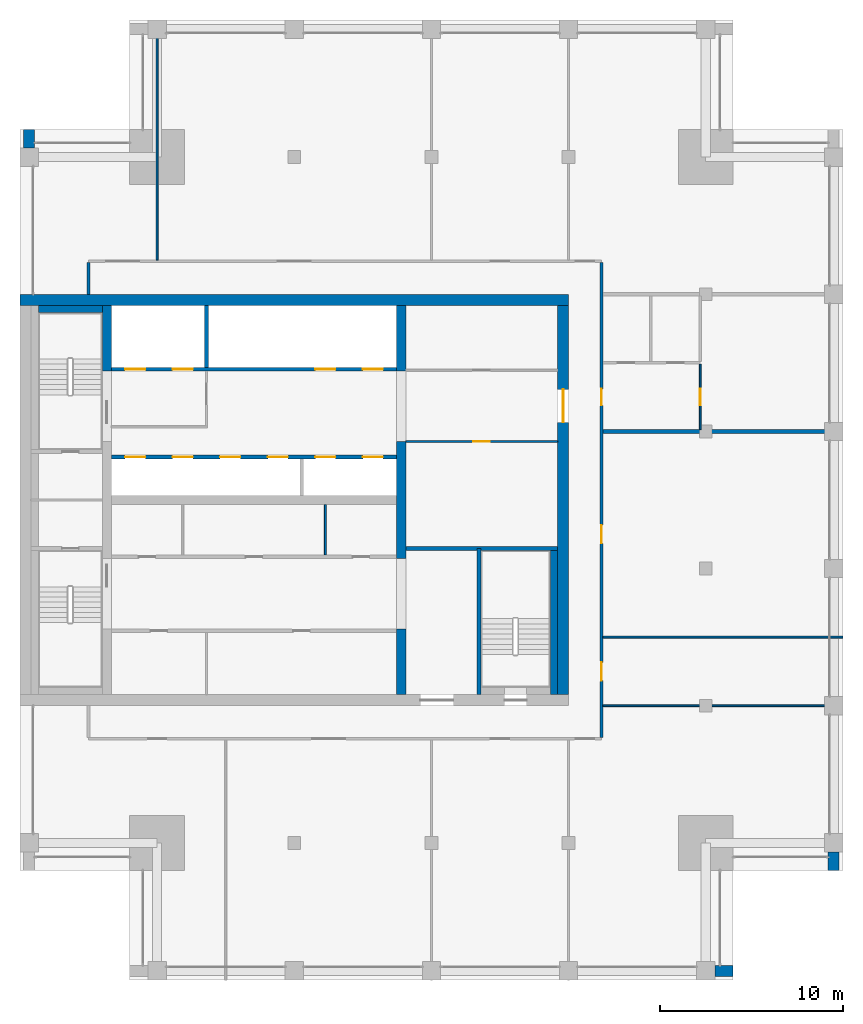
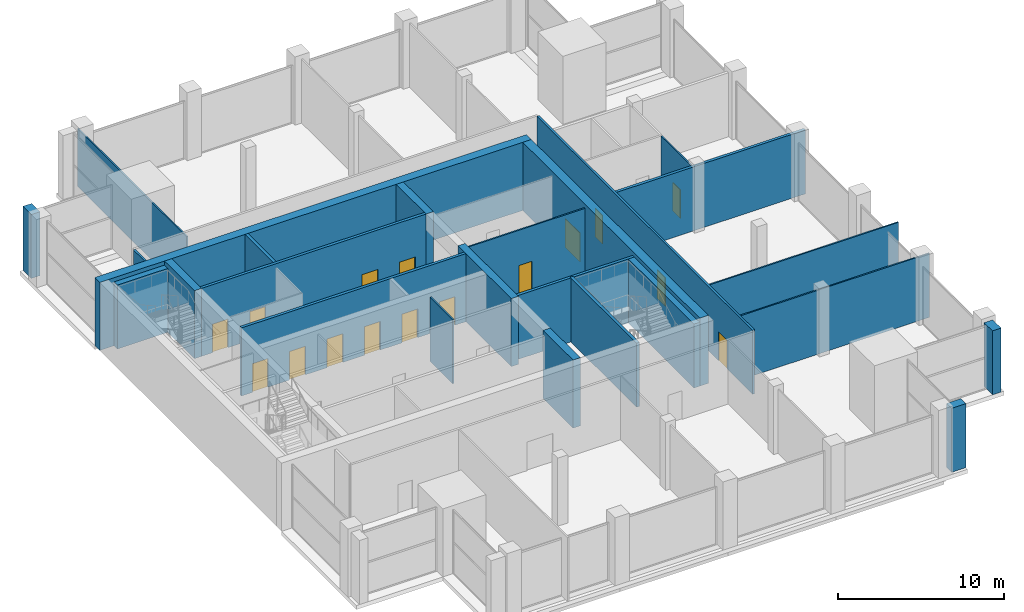
# One storey, part 9 of 15: 25 walls, 16 doors, 16 openings.
"""IFC4 building model written with IfcOpenShell, lengths in metres."""

from ifc_helpers import new_model, si_unit, direction, frame, frame_2d, origin, place, context, subcontext, project, spatial, rectangle, extrude, material, layer, layer_set, type_object, element, fill, save


model = new_model("IFC4")

# Units and contexts
model_context = context("Model", 3, precision=1e-05, world=origin(), true_north=direction((0.0, 1.0)))
body_context = subcontext(model_context, "Body", "Model", "MODEL_VIEW")
ifc_project = project(units=[si_unit("LENGTHUNIT", "METRE"), si_unit("AREAUNIT", "SQUARE_METRE"), si_unit("VOLUMEUNIT", "CUBIC_METRE"), si_unit("PLANEANGLEUNIT", "RADIAN"), si_unit("MASSUNIT", "GRAM", prefix="KILO")], contexts=[model_context])

# Site, building, storey
site_placement = place(None, origin())
site = spatial("IfcSite", under=ifc_project, at=site_placement, CompositionType="ELEMENT")
building_placement = place(site_placement, origin())
building = spatial("IfcBuilding", under=site, at=building_placement, Name="Tamorin Gate", CompositionType="ELEMENT")
storey_placement = place(building_placement, frame((0.0, 0.0, 297.699951171875)))
storey = spatial("IfcBuildingStorey", under=building, at=storey_placement, Name="L74", CompositionType="ELEMENT", Elevation=297.699951171875)

# Walls
ifc_material_1 = material(Name="Precast concrete C40/50", Category="concrete")
ifc_layer_1 = layer(ifc_material_1, 0.60009765625)
ifc_layer_set_1 = layer_set([ifc_layer_1], Name="Precast concrete C40/50")
wall_type_1 = type_object("IfcWallType", Name="Board-marked concrete facade panel 600", PredefinedType="SOLIDWALL", material=ifc_layer_set_1)
for number, where, z_axis, x_axis, name in (
    (1, (68.0, 45.5, 0.0), (0.0, 0.0, 1.0), (1.0, 0.0, 0.0), "Facade panel"),
    (2, (74.5, 51.0, 0.0), (0.0, 0.0, 1.0), (0.0, 1.0, 0.0), "Facade panel"),
    (3, (30.5, 91.5, 0.0), (0.0, 0.0, 1.0), (0.0, -1.0, 0.0), "Facade panel"),
):
    element("IfcWall", number, at=place(storey_placement, frame(where, z_axis=z_axis, x_axis=x_axis)), inside=storey, type_object=wall_type_1, Name=name, PredefinedType="SOLIDWALL", context=body_context, shape_type="SweptSolid", body=[
        extrude(rectangle(XDim=1.0, YDim=0.60009765625, at=frame_2d((0.5, 0.0))), origin(), (0.0, 0.0, 1.0), 4.699951171875),
    ])
ifc_material_2 = material(Name="Gypsum board partition")
ifc_layer_2 = layer(ifc_material_2, 0.14990234375)
ifc_layer_set_2 = layer_set([ifc_layer_2], Name="Corridor wall 150")
wall_type_2 = type_object("IfcWallType", Name="Corridor wall 150", PredefinedType="PARTITIONING", material=ifc_layer_set_2)
wall_1_placement = place(storey_placement, frame((33.75, 82.5, 0.0), z_axis=(0.0, 0.0, 1.0), x_axis=(0.0, 1.0, 0.0)))
element("IfcWall", 4, at=wall_1_placement, inside=storey, type_object=wall_type_2, Name="Corridor wall 150", PredefinedType="PARTITIONING", context=body_context, shape_type="SweptSolid", body=[
    extrude(rectangle(XDim=1.72509765625, YDim=0.14990234375, at=frame_2d((0.862548828125, 0.0))), origin(), (0.0, 0.0, 1.0), 4.699951171875),
])

# Wall, openings, doors
wall_2_placement = place(storey_placement, frame((61.800048828125, 58.27490234375, 0.0), z_axis=(0.0, 0.0, 1.0), x_axis=(0.0, 1.0, 0.0)))
wall_2 = element("IfcWall", 5, at=wall_2_placement, inside=storey, type_object=wall_type_2, Name="Corridor wall 150", PredefinedType="PARTITIONING", context=body_context, shape_type="SweptSolid", body=[
    extrude(rectangle(XDim=25.9501953125, YDim=0.14990234375, at=frame_2d((12.97509765625, 0.0))), origin(), (0.0, 0.0, 1.0), 4.699951171875),
])
opening_1_placement = place(wall_2_placement, frame((3.10009765625, 0.0, 0.0)))
opening_1 = element("IfcOpeningElement", 6, at=opening_1_placement, cuts=wall_2, Name="Opening DSK1009", PredefinedType="OPENING", context=body_context, shape_type="SweptSolid", body=[
    extrude(rectangle(XDim=1.0, YDim=2.10009765625, at=frame_2d((0.5, 1.050048828125))), frame((0.0, 0.0849609375, 0.0), z_axis=(0.0, -1.0, 0.0), x_axis=(1.0, 0.0, 0.0)), (0.0, 0.0, 1.0), 0.169921875),
])
opening_2_placement = place(wall_2_placement, frame((10.60009765625, 0.0, 0.0)))
opening_2 = element("IfcOpeningElement", 7, at=opening_2_placement, cuts=wall_2, Name="Opening DSK1010", PredefinedType="OPENING", context=body_context, shape_type="SweptSolid", body=[
    extrude(rectangle(XDim=1.0, YDim=2.10009765625, at=frame_2d((0.5, 1.050048828125))), frame((0.0, 0.0849609375, 0.0), z_axis=(0.0, -1.0, 0.0), x_axis=(1.0, 0.0, 0.0)), (0.0, 0.0, 1.0), 0.169921875),
])
opening_3_placement = place(wall_2_placement, frame((18.14990234375, 0.0, 0.0)))
opening_3 = element("IfcOpeningElement", 8, at=opening_3_placement, cuts=wall_2, Name="Opening DSK1011", PredefinedType="OPENING", context=body_context, shape_type="SweptSolid", body=[
    extrude(rectangle(XDim=0.89990234375, YDim=2.10009765625, at=frame_2d((0.449951171875, 1.050048828125))), frame((0.0, 0.0849609375, 0.0), z_axis=(0.0, -1.0, 0.0), x_axis=(1.0, 0.0, 0.0)), (0.0, 0.0, 1.0), 0.169921875),
])
ifc_material_3 = material(Name="Timber door leaf", Category="wood")
door_type_1 = type_object("IfcDoorType", Name="Door 1000 x 2100 FD30S", OperationType="NOTDEFINED", PredefinedType="DOOR", material=ifc_material_3)
door_1_placement = place(opening_1_placement, origin())
door_1 = element("IfcDoor", 9, at=door_1_placement, inside=storey, type_object=door_type_1, Name="Door DSK1009", OperationType="SINGLE_SWING_RIGHT", OverallHeight=2.10009765625, OverallWidth=1.0, PredefinedType="DOOR", context=body_context, shape_type="SweptSolid", body=[
    extrude(rectangle(XDim=1.0, YDim=2.10009765625, at=frame_2d((0.5, 1.050048828125))), frame((0.0, 0.02490234375, 0.0), z_axis=(0.0, -1.0, 0.0), x_axis=(1.0, 0.0, 0.0)), (0.0, 0.0, 1.0), 0.050048828125),
])
fill(opening_1, door_1)
door_2_placement = place(opening_2_placement, origin())
door_2 = element("IfcDoor", 10, at=door_2_placement, inside=storey, type_object=door_type_1, Name="Door DSK1010", OperationType="SINGLE_SWING_RIGHT", OverallHeight=2.10009765625, OverallWidth=1.0, PredefinedType="DOOR", context=body_context, shape_type="SweptSolid", body=[
    extrude(rectangle(XDim=1.0, YDim=2.10009765625, at=frame_2d((0.5, 1.050048828125))), frame((0.0, 0.02490234375, 0.0), z_axis=(0.0, -1.0, 0.0), x_axis=(1.0, 0.0, 0.0)), (0.0, 0.0, 1.0), 0.050048828125),
])
fill(opening_2, door_2)
door_type_2 = type_object("IfcDoorType", Name="Door 900 x 2100 FD30S", OperationType="NOTDEFINED", PredefinedType="DOOR", material=ifc_material_3)
door_3_placement = place(opening_3_placement, origin())
door_3 = element("IfcDoor", 11, at=door_3_placement, inside=storey, type_object=door_type_2, Name="Door DSK1011", OperationType="SINGLE_SWING_RIGHT", OverallHeight=2.10009765625, OverallWidth=0.89990234375, PredefinedType="DOOR", context=body_context, shape_type="SweptSolid", body=[
    extrude(rectangle(XDim=0.89990234375, YDim=2.10009765625, at=frame_2d((0.449951171875, 1.050048828125))), frame((0.0, 0.02490234375, 0.0), z_axis=(0.0, -1.0, 0.0), x_axis=(1.0, 0.0, 0.0)), (0.0, 0.0, 1.0), 0.050048828125),
])
fill(opening_3, door_3)

# Wall
ifc_layer_3 = layer(ifc_material_2, 0.199951171875)
ifc_layer_set_3 = layer_set([ifc_layer_3], Name="Demising wall 200")
wall_type_3 = type_object("IfcWallType", Name="Demising wall 200", PredefinedType="PARTITIONING", material=ifc_layer_set_3)
wall_3_placement = place(storey_placement, frame((61.875, 75.0, 0.0), z_axis=(0.0, 0.0, 1.0), x_axis=(1.0, 0.0, 0.0)))
element("IfcWall", 12, at=wall_3_placement, inside=storey, type_object=wall_type_3, Name="Demising wall 200", PredefinedType="PARTITIONING", context=body_context, shape_type="SweptSolid", body=[
    extrude(rectangle(XDim=13.125, YDim=0.199951171875, at=frame_2d((6.5625, 0.0))), origin(), (0.0, 0.0, 1.0), 4.699951171875),
])

# Wall, openings, doors
ifc_material_4 = material(Name="Concrete C32/40", Category="concrete")
ifc_layer_4 = layer(ifc_material_4, 0.199951171875)
ifc_layer_set_4 = layer_set([ifc_layer_4], Name="Lift lobby face wall 200 EI 120")
wall_type_4 = type_object("IfcWallType", Name="Lift lobby face wall 200 EI 120", PredefinedType="SOLIDWALL", material=ifc_layer_set_4)
wall_4_placement = place(storey_placement, frame((35.0, 73.60009765625, 0.0), z_axis=(0.0, 0.0, 1.0), x_axis=(1.0, 0.0, 0.0)))
wall_4 = element("IfcWall", 13, at=wall_4_placement, inside=storey, type_object=wall_type_4, Name="Lift lobby face wall", PredefinedType="SOLIDWALL", context=body_context, shape_type="SweptSolid", body=[
    extrude(rectangle(XDim=15.60009765625, YDim=0.199951171875, at=frame_2d((7.800048828125, 0.0))), origin(), (0.0, 0.0, 1.0), 5.0),
])
opening_4_placement = place(wall_4_placement, frame((0.75, 0.0, 0.0)))
opening_4 = element("IfcOpeningElement", 14, at=opening_4_placement, cuts=wall_4, Name="Opening LD11", PredefinedType="OPENING", context=body_context, shape_type="SweptSolid", body=[
    extrude(rectangle(XDim=1.10009765625, YDim=2.10009765625, at=frame_2d((0.550048828125, 1.050048828125))), frame((0.0, 0.10986328125, 0.0), z_axis=(0.0, -1.0, 0.0), x_axis=(1.0, 0.0, 0.0)), (0.0, 0.0, 1.0), 0.219970703125),
])
opening_5_placement = place(wall_4_placement, frame((3.35009765625, 0.0, 0.0)))
opening_5 = element("IfcOpeningElement", 15, at=opening_5_placement, cuts=wall_4, Name="Opening LD12", PredefinedType="OPENING", context=body_context, shape_type="SweptSolid", body=[
    extrude(rectangle(XDim=1.10009765625, YDim=2.10009765625, at=frame_2d((0.550048828125, 1.050048828125))), frame((0.0, 0.10986328125, 0.0), z_axis=(0.0, -1.0, 0.0), x_axis=(1.0, 0.0, 0.0)), (0.0, 0.0, 1.0), 0.219970703125),
])
opening_6_placement = place(wall_4_placement, frame((5.949951171875, 0.0, 0.0)))
opening_6 = element("IfcOpeningElement", 16, at=opening_6_placement, cuts=wall_4, Name="Opening LD13", PredefinedType="OPENING", context=body_context, shape_type="SweptSolid", body=[
    extrude(rectangle(XDim=1.10009765625, YDim=2.10009765625, at=frame_2d((0.550048828125, 1.050048828125))), frame((0.0, 0.10986328125, 0.0), z_axis=(0.0, -1.0, 0.0), x_axis=(1.0, 0.0, 0.0)), (0.0, 0.0, 1.0), 0.219970703125),
])
opening_7_placement = place(wall_4_placement, frame((8.550048828125, 0.0, 0.0)))
opening_7 = element("IfcOpeningElement", 17, at=opening_7_placement, cuts=wall_4, Name="Opening LD14", PredefinedType="OPENING", context=body_context, shape_type="SweptSolid", body=[
    extrude(rectangle(XDim=1.10009765625, YDim=2.10009765625, at=frame_2d((0.550048828125, 1.050048828125))), frame((0.0, 0.10986328125, 0.0), z_axis=(0.0, -1.0, 0.0), x_axis=(1.0, 0.0, 0.0)), (0.0, 0.0, 1.0), 0.219970703125),
])
opening_8_placement = place(wall_4_placement, frame((11.14990234375, 0.0, 0.0)))
opening_8 = element("IfcOpeningElement", 18, at=opening_8_placement, cuts=wall_4, Name="Opening LD15", PredefinedType="OPENING", context=body_context, shape_type="SweptSolid", body=[
    extrude(rectangle(XDim=1.10009765625, YDim=2.10009765625, at=frame_2d((0.550048828125, 1.050048828125))), frame((0.0, 0.10986328125, 0.0), z_axis=(0.0, -1.0, 0.0), x_axis=(1.0, 0.0, 0.0)), (0.0, 0.0, 1.0), 0.219970703125),
])
opening_9_placement = place(wall_4_placement, frame((13.75, 0.0, 0.0)))
opening_9 = element("IfcOpeningElement", 19, at=opening_9_placement, cuts=wall_4, Name="Opening LD16", PredefinedType="OPENING", context=body_context, shape_type="SweptSolid", body=[
    extrude(rectangle(XDim=1.10009765625, YDim=2.10009765625, at=frame_2d((0.550048828125, 1.050048828125))), frame((0.0, 0.10986328125, 0.0), z_axis=(0.0, -1.0, 0.0), x_axis=(1.0, 0.0, 0.0)), (0.0, 0.0, 1.0), 0.219970703125),
])
ifc_material_5 = material(Name="Stainless steel sliding door", Category="steel")
door_type_3 = type_object("IfcDoorType", Name="Lift landing door 1100 x 2100 E 90", OperationType="DOUBLE_DOOR_SLIDING", PredefinedType="DOOR", material=ifc_material_5)
door_4_placement = place(opening_4_placement, origin())
door_4 = element("IfcDoor", 20, at=door_4_placement, inside=storey, type_object=door_type_3, Name="HR1 landing door", OperationType="DOUBLE_DOOR_SLIDING", OverallHeight=2.10009765625, OverallWidth=1.10009765625, PredefinedType="DOOR", context=body_context, shape_type="SweptSolid", body=[
    extrude(rectangle(XDim=1.10009765625, YDim=2.10009765625, at=frame_2d((0.550048828125, 1.050048828125))), frame((0.0, 0.02490234375, 0.0), z_axis=(0.0, -1.0, 0.0), x_axis=(1.0, 0.0, 0.0)), (0.0, 0.0, 1.0), 0.050048828125),
])
fill(opening_4, door_4)
door_5_placement = place(opening_5_placement, origin())
door_5 = element("IfcDoor", 21, at=door_5_placement, inside=storey, type_object=door_type_3, Name="HR2 landing door", OperationType="DOUBLE_DOOR_SLIDING", OverallHeight=2.10009765625, OverallWidth=1.10009765625, PredefinedType="DOOR", context=body_context, shape_type="SweptSolid", body=[
    extrude(rectangle(XDim=1.10009765625, YDim=2.10009765625, at=frame_2d((0.550048828125, 1.050048828125))), frame((0.0, 0.02490234375, 0.0), z_axis=(0.0, -1.0, 0.0), x_axis=(1.0, 0.0, 0.0)), (0.0, 0.0, 1.0), 0.050048828125),
])
fill(opening_5, door_5)
door_6_placement = place(opening_6_placement, origin())
door_6 = element("IfcDoor", 22, at=door_6_placement, inside=storey, type_object=door_type_3, Name="HR3 landing door", OperationType="DOUBLE_DOOR_SLIDING", OverallHeight=2.10009765625, OverallWidth=1.10009765625, PredefinedType="DOOR", context=body_context, shape_type="SweptSolid", body=[
    extrude(rectangle(XDim=1.10009765625, YDim=2.10009765625, at=frame_2d((0.550048828125, 1.050048828125))), frame((0.0, 0.02490234375, 0.0), z_axis=(0.0, -1.0, 0.0), x_axis=(1.0, 0.0, 0.0)), (0.0, 0.0, 1.0), 0.050048828125),
])
fill(opening_6, door_6)
door_7_placement = place(opening_7_placement, origin())
door_7 = element("IfcDoor", 23, at=door_7_placement, inside=storey, type_object=door_type_3, Name="HR4 landing door", OperationType="DOUBLE_DOOR_SLIDING", OverallHeight=2.10009765625, OverallWidth=1.10009765625, PredefinedType="DOOR", context=body_context, shape_type="SweptSolid", body=[
    extrude(rectangle(XDim=1.10009765625, YDim=2.10009765625, at=frame_2d((0.550048828125, 1.050048828125))), frame((0.0, 0.02490234375, 0.0), z_axis=(0.0, -1.0, 0.0), x_axis=(1.0, 0.0, 0.0)), (0.0, 0.0, 1.0), 0.050048828125),
])
fill(opening_7, door_7)
door_8_placement = place(opening_8_placement, origin())
door_8 = element("IfcDoor", 24, at=door_8_placement, inside=storey, type_object=door_type_3, Name="HR5 landing door", OperationType="DOUBLE_DOOR_SLIDING", OverallHeight=2.10009765625, OverallWidth=1.10009765625, PredefinedType="DOOR", context=body_context, shape_type="SweptSolid", body=[
    extrude(rectangle(XDim=1.10009765625, YDim=2.10009765625, at=frame_2d((0.550048828125, 1.050048828125))), frame((0.0, 0.02490234375, 0.0), z_axis=(0.0, -1.0, 0.0), x_axis=(1.0, 0.0, 0.0)), (0.0, 0.0, 1.0), 0.050048828125),
])
fill(opening_8, door_8)
door_9_placement = place(opening_9_placement, origin())
door_9 = element("IfcDoor", 25, at=door_9_placement, inside=storey, type_object=door_type_3, Name="HR6 landing door", OperationType="DOUBLE_DOOR_SLIDING", OverallHeight=2.10009765625, OverallWidth=1.10009765625, PredefinedType="DOOR", context=body_context, shape_type="SweptSolid", body=[
    extrude(rectangle(XDim=1.10009765625, YDim=2.10009765625, at=frame_2d((0.550048828125, 1.050048828125))), frame((0.0, 0.02490234375, 0.0), z_axis=(0.0, -1.0, 0.0), x_axis=(1.0, 0.0, 0.0)), (0.0, 0.0, 1.0), 0.050048828125),
])
fill(opening_9, door_9)

wall_5_placement = place(storey_placement, frame((35.0, 78.39990234375, 0.0), z_axis=(0.0, 0.0, 1.0), x_axis=(1.0, 0.0, 0.0)))
wall_5 = element("IfcWall", 26, at=wall_5_placement, inside=storey, type_object=wall_type_4, Name="Lift lobby face wall", PredefinedType="SOLIDWALL", context=body_context, shape_type="SweptSolid", body=[
    extrude(rectangle(XDim=15.60009765625, YDim=0.199951171875, at=frame_2d((7.800048828125, 0.0))), origin(), (0.0, 0.0, 1.0), 5.0),
])
opening_10_placement = place(wall_5_placement, frame((0.75, 0.0, 0.0)))
opening_10 = element("IfcOpeningElement", 27, at=opening_10_placement, cuts=wall_5, Name="Opening LD17", PredefinedType="OPENING", context=body_context, shape_type="SweptSolid", body=[
    extrude(rectangle(XDim=1.10009765625, YDim=2.10009765625, at=frame_2d((0.550048828125, 1.050048828125))), frame((0.0, 0.10986328125, 0.0), z_axis=(0.0, -1.0, 0.0), x_axis=(1.0, 0.0, 0.0)), (0.0, 0.0, 1.0), 0.219970703125),
])
opening_11_placement = place(wall_5_placement, frame((3.35009765625, 0.0, 0.0)))
opening_11 = element("IfcOpeningElement", 28, at=opening_11_placement, cuts=wall_5, Name="Opening LD18", PredefinedType="OPENING", context=body_context, shape_type="SweptSolid", body=[
    extrude(rectangle(XDim=1.10009765625, YDim=2.10009765625, at=frame_2d((0.550048828125, 1.050048828125))), frame((0.0, 0.10986328125, 0.0), z_axis=(0.0, -1.0, 0.0), x_axis=(1.0, 0.0, 0.0)), (0.0, 0.0, 1.0), 0.219970703125),
])
opening_12_placement = place(wall_5_placement, frame((11.14990234375, 0.0, 0.0)))
opening_12 = element("IfcOpeningElement", 29, at=opening_12_placement, cuts=wall_5, Name="Opening LD21", PredefinedType="OPENING", context=body_context, shape_type="SweptSolid", body=[
    extrude(rectangle(XDim=1.10009765625, YDim=2.10009765625, at=frame_2d((0.550048828125, 1.050048828125))), frame((0.0, 0.10986328125, 0.0), z_axis=(0.0, -1.0, 0.0), x_axis=(1.0, 0.0, 0.0)), (0.0, 0.0, 1.0), 0.219970703125),
])
opening_13_placement = place(wall_5_placement, frame((13.75, 0.0, 0.0)))
opening_13 = element("IfcOpeningElement", 30, at=opening_13_placement, cuts=wall_5, Name="Opening LD22", PredefinedType="OPENING", context=body_context, shape_type="SweptSolid", body=[
    extrude(rectangle(XDim=1.10009765625, YDim=2.10009765625, at=frame_2d((0.550048828125, 1.050048828125))), frame((0.0, 0.10986328125, 0.0), z_axis=(0.0, -1.0, 0.0), x_axis=(1.0, 0.0, 0.0)), (0.0, 0.0, 1.0), 0.219970703125),
])
door_10_placement = place(opening_10_placement, origin())
door_10 = element("IfcDoor", 31, at=door_10_placement, inside=storey, type_object=door_type_3, Name="FF1 landing door", OperationType="DOUBLE_DOOR_SLIDING", OverallHeight=2.10009765625, OverallWidth=1.10009765625, PredefinedType="DOOR", context=body_context, shape_type="SweptSolid", body=[
    extrude(rectangle(XDim=1.10009765625, YDim=2.10009765625, at=frame_2d((0.550048828125, 1.050048828125))), frame((0.0, 0.02490234375, 0.0), z_axis=(0.0, -1.0, 0.0), x_axis=(1.0, 0.0, 0.0)), (0.0, 0.0, 1.0), 0.050048828125),
])
fill(opening_10, door_10)
door_11_placement = place(opening_11_placement, origin())
door_11 = element("IfcDoor", 32, at=door_11_placement, inside=storey, type_object=door_type_3, Name="FF2 landing door", OperationType="DOUBLE_DOOR_SLIDING", OverallHeight=2.10009765625, OverallWidth=1.10009765625, PredefinedType="DOOR", context=body_context, shape_type="SweptSolid", body=[
    extrude(rectangle(XDim=1.10009765625, YDim=2.10009765625, at=frame_2d((0.550048828125, 1.050048828125))), frame((0.0, 0.02490234375, 0.0), z_axis=(0.0, -1.0, 0.0), x_axis=(1.0, 0.0, 0.0)), (0.0, 0.0, 1.0), 0.050048828125),
])
fill(opening_11, door_11)
door_12_placement = place(opening_12_placement, origin())
door_12 = element("IfcDoor", 33, at=door_12_placement, inside=storey, type_object=door_type_3, Name="SV1 landing door", OperationType="DOUBLE_DOOR_SLIDING", OverallHeight=2.10009765625, OverallWidth=1.10009765625, PredefinedType="DOOR", context=body_context, shape_type="SweptSolid", body=[
    extrude(rectangle(XDim=1.10009765625, YDim=2.10009765625, at=frame_2d((0.550048828125, 1.050048828125))), frame((0.0, 0.02490234375, 0.0), z_axis=(0.0, -1.0, 0.0), x_axis=(1.0, 0.0, 0.0)), (0.0, 0.0, 1.0), 0.050048828125),
])
fill(opening_12, door_12)
door_13_placement = place(opening_13_placement, origin())
door_13 = element("IfcDoor", 34, at=door_13_placement, inside=storey, type_object=door_type_3, Name="SV2 landing door", OperationType="DOUBLE_DOOR_SLIDING", OverallHeight=2.10009765625, OverallWidth=1.10009765625, PredefinedType="DOOR", context=body_context, shape_type="SweptSolid", body=[
    extrude(rectangle(XDim=1.10009765625, YDim=2.10009765625, at=frame_2d((0.550048828125, 1.050048828125))), frame((0.0, 0.02490234375, 0.0), z_axis=(0.0, -1.0, 0.0), x_axis=(1.0, 0.0, 0.0)), (0.0, 0.0, 1.0), 0.050048828125),
])
fill(opening_13, door_13)

# Walls
ifc_layer_5 = layer(ifc_material_4, 0.199951171875)
ifc_layer_set_5 = layer_set([ifc_layer_5], Name="Lift shaft wall 200 EI 120")
wall_type_5 = type_object("IfcWallType", Name="Lift shaft wall 200 EI 120", PredefinedType="SOLIDWALL", material=ifc_layer_set_5)
wall_6_placement = place(storey_placement, frame((40.199951171875, 78.5, 0.0), z_axis=(0.0, 0.0, 1.0), x_axis=(0.0, 1.0, 0.0)))
element("IfcWall", 35, at=wall_6_placement, inside=storey, type_object=wall_type_5, Name="Lift shaft wall", PredefinedType="SOLIDWALL", context=body_context, shape_type="SweptSolid", body=[
    extrude(rectangle(XDim=3.39990234375, YDim=0.199951171875, at=frame_2d((1.699951171875, 0.0))), origin(), (0.0, 0.0, 1.0), 5.0),
])
ifc_material_6 = material(Name="Concrete C50/60", Category="concrete")
ifc_layer_6 = layer(ifc_material_6, 0.5)
ifc_layer_set_6 = layer_set([ifc_layer_6], Name="RC core internal wall 500 C50/60")
wall_type_6 = type_object("IfcWallType", Name="RC core internal wall 500 C50/60", PredefinedType="SHEAR", material=ifc_layer_set_6)
for number, where, z_axis, x_axis, name in (
    (36, (34.75, 78.300048828125, 0.0), (0.0, 0.0, 1.0), (0.0, 1.0, 0.0), "Core cross wall L74"),
    (37, (50.85009765625, 60.60009765625, 0.0), (0.0, 0.0, 1.0), (0.0, 1.0, 0.0), "Core cross wall L74"),
):
    element("IfcWall", number, at=place(storey_placement, frame(where, z_axis=z_axis, x_axis=x_axis)), inside=storey, type_object=wall_type_6, Name=name, PredefinedType="SHEAR", context=body_context, shape_type="SweptSolid", body=[
        extrude(rectangle(XDim=3.599853515625, YDim=0.5, at=frame_2d((1.7998046875, 0.0))), origin(), (0.0, 0.0, 1.0), 5.0),
    ])
wall_7_placement = place(storey_placement, frame((50.85009765625, 68.050048828125, 0.0), z_axis=(0.0, 0.0, 1.0), x_axis=(0.0, 1.0, 0.0)))
element("IfcWall", 38, at=wall_7_placement, inside=storey, type_object=wall_type_6, Name="Core cross wall L74", PredefinedType="SHEAR", context=body_context, shape_type="SweptSolid", body=[
    extrude(rectangle(XDim=6.39990234375, YDim=0.5, at=frame_2d((3.199951171875, 0.0))), origin(), (0.0, 0.0, 1.0), 5.0),
])
wall_8_placement = place(storey_placement, frame((50.85009765625, 78.300048828125, 0.0), z_axis=(0.0, 0.0, 1.0), x_axis=(0.0, 1.0, 0.0)))
element("IfcWall", 39, at=wall_8_placement, inside=storey, type_object=wall_type_6, Name="Core cross wall L74", PredefinedType="SHEAR", context=body_context, shape_type="SweptSolid", body=[
    extrude(rectangle(XDim=3.599853515625, YDim=0.5, at=frame_2d((1.7998046875, 0.0))), origin(), (0.0, 0.0, 1.0), 5.0),
])
ifc_layer_7 = layer(ifc_material_6, 0.60009765625)
ifc_layer_set_7 = layer_set([ifc_layer_7], Name="RC core wall 600 C50/60")
wall_type_7 = type_object("IfcWallType", Name="RC core wall 600 C50/60", PredefinedType="SHEAR", material=ifc_layer_set_7)
wall_9_placement = place(storey_placement, frame((30.0, 82.199951171875, 0.0), z_axis=(0.0, 0.0, 1.0), x_axis=(1.0, 0.0, 0.0)))
element("IfcWall", 40, at=wall_9_placement, inside=storey, type_object=wall_type_7, Name="Core wall L74", PredefinedType="SHEAR", context=body_context, shape_type="SweptSolid", body=[
    extrude(rectangle(XDim=30.0, YDim=0.60009765625, at=frame_2d((15.0, 0.0))), origin(), (0.0, 0.0, 1.0), 5.0),
])

# Wall, opening, door
wall_10_placement = place(storey_placement, frame((59.699951171875, 60.60009765625, 0.0), z_axis=(0.0, 0.0, 1.0), x_axis=(0.0, 1.0, 0.0)))
wall_10 = element("IfcWall", 41, at=wall_10_placement, inside=storey, type_object=wall_type_7, Name="Core wall L74", PredefinedType="SHEAR", context=body_context, shape_type="SweptSolid", body=[
    extrude(rectangle(XDim=21.2998046875, YDim=0.60009765625, at=frame_2d((10.64990234375, 0.0))), origin(), (0.0, 0.0, 1.0), 5.0),
])
opening_14_placement = place(wall_10_placement, frame((14.89990234375, 0.0, 0.0)))
opening_14 = element("IfcOpeningElement", 42, at=opening_14_placement, cuts=wall_10, Name="Opening DE1", PredefinedType="OPENING", context=body_context, shape_type="SweptSolid", body=[
    extrude(rectangle(XDim=1.800048828125, YDim=2.10009765625, at=frame_2d((0.89990234375, 1.050048828125))), frame((0.0, 0.31005859375, 0.0), z_axis=(0.0, -1.0, 0.0), x_axis=(1.0, 0.0, 0.0)), (0.0, 0.0, 1.0), 0.6201171875),
])
ifc_material_7 = material(Name="Steel fire door", Category="steel")
door_type_4 = type_object("IfcDoorType", Name="Lobby exit double door 1800 x 2100 EI 60", OperationType="DOUBLE_DOOR_SINGLE_SWING", PredefinedType="DOOR", material=ifc_material_7)
door_14_placement = place(opening_14_placement, origin())
door_14 = element("IfcDoor", 43, at=door_14_placement, inside=storey, type_object=door_type_4, Name="Lift lobby B exit door", OperationType="DOUBLE_DOOR_SINGLE_SWING", OverallHeight=2.10009765625, OverallWidth=1.800048828125, PredefinedType="DOOR", context=body_context, shape_type="SweptSolid", body=[
    extrude(rectangle(XDim=1.800048828125, YDim=2.10009765625, at=frame_2d((0.89990234375, 1.050048828125))), frame((0.0, 0.02490234375, 0.0), z_axis=(0.0, -1.0, 0.0), x_axis=(1.0, 0.0, 0.0)), (0.0, 0.0, 1.0), 0.050048828125),
])
fill(opening_14, door_14)

# Walls
ifc_layer_8 = layer(ifc_material_2, 0.10009765625)
ifc_layer_set_8 = layer_set([ifc_layer_8], Name="Room partition 100")
wall_type_8 = type_object("IfcWallType", Name="Room partition 100", PredefinedType="PARTITIONING", material=ifc_layer_set_8)
for number, where, z_axis, x_axis, name in (
    (44, (61.875, 60.0, 0.0), (0.0, 0.0, 1.0), (1.0, 0.0, 0.0), "Room partition 100"),
    (45, (61.875, 63.75, 0.0), (0.0, 0.0, 1.0), (1.0, 0.0, 0.0), "Room partition 100"),
):
    element("IfcWall", number, at=place(storey_placement, frame(where, z_axis=z_axis, x_axis=x_axis)), inside=storey, type_object=wall_type_8, Name=name, PredefinedType="PARTITIONING", context=body_context, shape_type="SweptSolid", body=[
        extrude(rectangle(XDim=13.125, YDim=0.10009765625, at=frame_2d((6.5625, 0.0))), origin(), (0.0, 0.0, 1.0), 4.699951171875),
    ])
wall_11_placement = place(storey_placement, frame((37.5, 84.375, 0.0), z_axis=(0.0, 0.0, 1.0), x_axis=(0.0, 1.0, 0.0)))
element("IfcWall", 46, at=wall_11_placement, inside=storey, type_object=wall_type_8, Name="Room partition 100", PredefinedType="PARTITIONING", context=body_context, shape_type="SweptSolid", body=[
    extrude(rectangle(XDim=13.125, YDim=0.10009765625, at=frame_2d((6.5625, 0.0))), origin(), (0.0, 0.0, 1.0), 4.25),
])

# Wall, opening, door
wall_12_placement = place(storey_placement, frame((67.199951171875, 75.10009765625, 0.0), z_axis=(0.0, 0.0, 1.0), x_axis=(0.0, 1.0, 0.0)))
wall_12 = element("IfcWall", 47, at=wall_12_placement, inside=storey, type_object=wall_type_8, Name="Room partition 100", PredefinedType="PARTITIONING", context=body_context, shape_type="SweptSolid", body=[
    extrude(rectangle(XDim=3.58740234375, YDim=0.10009765625, at=frame_2d((1.793701171875, 0.0))), origin(), (0.0, 0.0, 1.0), 4.699951171875),
])
opening_15_placement = place(wall_12_placement, frame((1.324951171875, 0.0, 0.0)))
opening_15 = element("IfcOpeningElement", 48, at=opening_15_placement, cuts=wall_12, Name="Opening DSK1012", PredefinedType="OPENING", context=body_context, shape_type="SweptSolid", body=[
    extrude(rectangle(XDim=0.89990234375, YDim=2.10009765625, at=frame_2d((0.449951171875, 1.050048828125))), frame((0.0, 0.06005859375, 0.0), z_axis=(0.0, -1.0, 0.0), x_axis=(1.0, 0.0, 0.0)), (0.0, 0.0, 1.0), 0.1201171875),
])
door_type_5 = type_object("IfcDoorType", Name="Door 900 x 2100", OperationType="NOTDEFINED", PredefinedType="DOOR", material=ifc_material_3)
door_15_placement = place(opening_15_placement, origin())
door_15 = element("IfcDoor", 49, at=door_15_placement, inside=storey, type_object=door_type_5, Name="Door DSK1012", OperationType="SINGLE_SWING_LEFT", OverallHeight=2.10009765625, OverallWidth=0.89990234375, PredefinedType="DOOR", context=body_context, shape_type="SweptSolid", body=[
    extrude(rectangle(XDim=0.89990234375, YDim=2.10009765625, at=frame_2d((0.449951171875, 1.050048828125))), frame((0.0, 0.02490234375, 0.0), z_axis=(0.0, -1.0, 0.0), x_axis=(1.0, 0.0, 0.0)), (0.0, 0.0, 1.0), 0.050048828125),
])
fill(opening_15, door_15)

# Wall
ifc_layer_9 = layer(ifc_material_2, 0.10009765625)
ifc_layer_set_9 = layer_set([ifc_layer_9], Name="Service room partition 100 EI 60")
wall_type_9 = type_object("IfcWallType", Name="Service room partition 100 EI 60", PredefinedType="PARTITIONING", material=ifc_layer_set_9)
wall_13_placement = place(storey_placement, frame((46.699951171875, 68.25, 0.0), z_axis=(0.0, 0.0, 1.0), x_axis=(0.0, 1.0, 0.0)))
element("IfcWall", 50, at=wall_13_placement, inside=storey, type_object=wall_type_9, Name="Service room partition", PredefinedType="PARTITIONING", context=body_context, shape_type="SweptSolid", body=[
    extrude(rectangle(XDim=2.75, YDim=0.10009765625, at=frame_2d((1.375, 0.0))), origin(), (0.0, 0.0, 1.0), 4.699951171875),
])

# Wall, opening, door
wall_14_placement = place(storey_placement, frame((51.10009765625, 74.449951171875, 0.0), z_axis=(0.0, 0.0, 1.0), x_axis=(1.0, 0.0, 0.0)))
wall_14 = element("IfcWall", 51, at=wall_14_placement, inside=storey, type_object=wall_type_9, Name="Service room wall", PredefinedType="PARTITIONING", context=body_context, shape_type="SweptSolid", body=[
    extrude(rectangle(XDim=8.2998046875, YDim=0.10009765625, at=frame_2d((4.14990234375, 0.0))), origin(), (0.0, 0.0, 1.0), 4.699951171875),
])
opening_16_placement = place(wall_14_placement, frame((3.699951171875, 0.0, 0.0)))
opening_16 = element("IfcOpeningElement", 52, at=opening_16_placement, cuts=wall_14, Name="Opening DR1", PredefinedType="OPENING", context=body_context, shape_type="SweptSolid", body=[
    extrude(rectangle(XDim=0.89990234375, YDim=2.10009765625, at=frame_2d((0.449951171875, 1.050048828125))), frame((0.0, 0.06005859375, 0.0), z_axis=(0.0, -1.0, 0.0), x_axis=(1.0, 0.0, 0.0)), (0.0, 0.0, 1.0), 0.1201171875),
])
door_type_6 = type_object("IfcDoorType", Name="Riser access door 900 x 2100 EI 120", OperationType="SINGLE_SWING_LEFT", PredefinedType="DOOR", material=ifc_material_7)
door_16_placement = place(opening_16_placement, origin())
door_16 = element("IfcDoor", 53, at=door_16_placement, inside=storey, type_object=door_type_6, Name="Duct riser door", OperationType="SINGLE_SWING_RIGHT", OverallHeight=2.10009765625, OverallWidth=0.89990234375, PredefinedType="DOOR", context=body_context, shape_type="SweptSolid", body=[
    extrude(rectangle(XDim=0.89990234375, YDim=2.10009765625, at=frame_2d((0.449951171875, 1.050048828125))), frame((0.0, 0.02490234375, 0.0), z_axis=(0.0, -1.0, 0.0), x_axis=(1.0, 0.0, 0.0)), (0.0, 0.0, 1.0), 0.050048828125),
])
fill(opening_16, door_16)

# Walls
ifc_material_8 = material(Name="Concrete C40/50", Category="concrete")
ifc_layer_10 = layer(ifc_material_8, 0.199951171875)
ifc_layer_set_10 = layer_set([ifc_layer_10], Name="Stair enclosure wall 200 EI 120 C40/50")
wall_type_10 = type_object("IfcWallType", Name="Stair enclosure wall 200 EI 120 C40/50", PredefinedType="SOLIDWALL", material=ifc_layer_set_10)
wall_15_placement = place(storey_placement, frame((55.10009765625, 60.60009765625, 0.0), z_axis=(0.0, 0.0, 1.0), x_axis=(0.0, 1.0, 0.0)))
element("IfcWall", 54, at=wall_15_placement, inside=storey, type_object=wall_type_10, Name="Stair enclosure wall", PredefinedType="SOLIDWALL", context=body_context, shape_type="SweptSolid", body=[
    extrude(rectangle(XDim=8.0, YDim=0.199951171875, at=frame_2d((4.0, 0.0))), origin(), (0.0, 0.0, 1.0), 4.699951171875),
])
wall_16_placement = place(storey_placement, frame((51.10009765625, 68.60009765625, 0.0), z_axis=(0.0, 0.0, 1.0), x_axis=(1.0, 0.0, 0.0)))
element("IfcWall", 55, at=wall_16_placement, inside=storey, type_object=wall_type_10, Name="Stair enclosure wall", PredefinedType="SOLIDWALL", context=body_context, shape_type="SweptSolid", body=[
    extrude(rectangle(XDim=8.2998046875, YDim=0.199951171875, at=frame_2d((4.14990234375, 0.0))), origin(), (0.0, 0.0, 1.0), 4.699951171875),
])
ifc_layer_11 = layer(ifc_material_6, 0.39990234375)
ifc_layer_set_11 = layer_set([ifc_layer_11], Name="Stair lining wall 400 EI 120 C50/60")
wall_type_11 = type_object("IfcWallType", Name="Stair lining wall 400 EI 120 C50/60", PredefinedType="SOLIDWALL", material=ifc_layer_set_11)
wall_17_placement = place(storey_placement, frame((31.0, 81.699951171875, 0.0), z_axis=(0.0, 0.0, 1.0), x_axis=(1.0, 0.0, 0.0)))
element("IfcWall", 56, at=wall_17_placement, inside=storey, type_object=wall_type_11, Name="Stair lining wall", PredefinedType="SOLIDWALL", context=body_context, shape_type="SweptSolid", body=[
    extrude(rectangle(XDim=3.5, YDim=0.39990234375, at=frame_2d((1.75, 0.0))), origin(), (0.0, 0.0, 1.0), 4.699951171875),
])
wall_18_placement = place(storey_placement, frame((59.199951171875, 60.60009765625, 0.0), z_axis=(0.0, 0.0, 1.0), x_axis=(0.0, 1.0, 0.0)))
element("IfcWall", 57, at=wall_18_placement, inside=storey, type_object=wall_type_11, Name="Stair lining wall", PredefinedType="SOLIDWALL", context=body_context, shape_type="SweptSolid", body=[
    extrude(rectangle(XDim=7.89990234375, YDim=0.39990234375, at=frame_2d((3.949951171875, 0.0))), origin(), (0.0, 0.0, 1.0), 4.699951171875),
])

save(model, "model.ifc")
